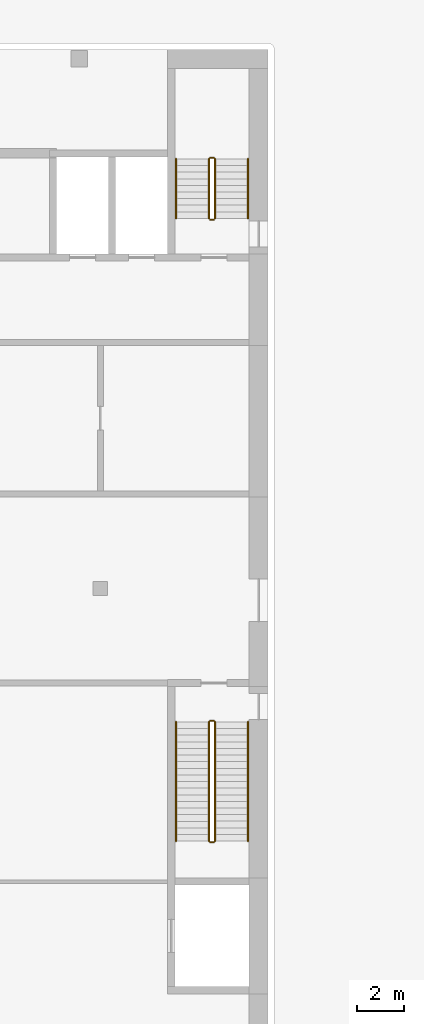
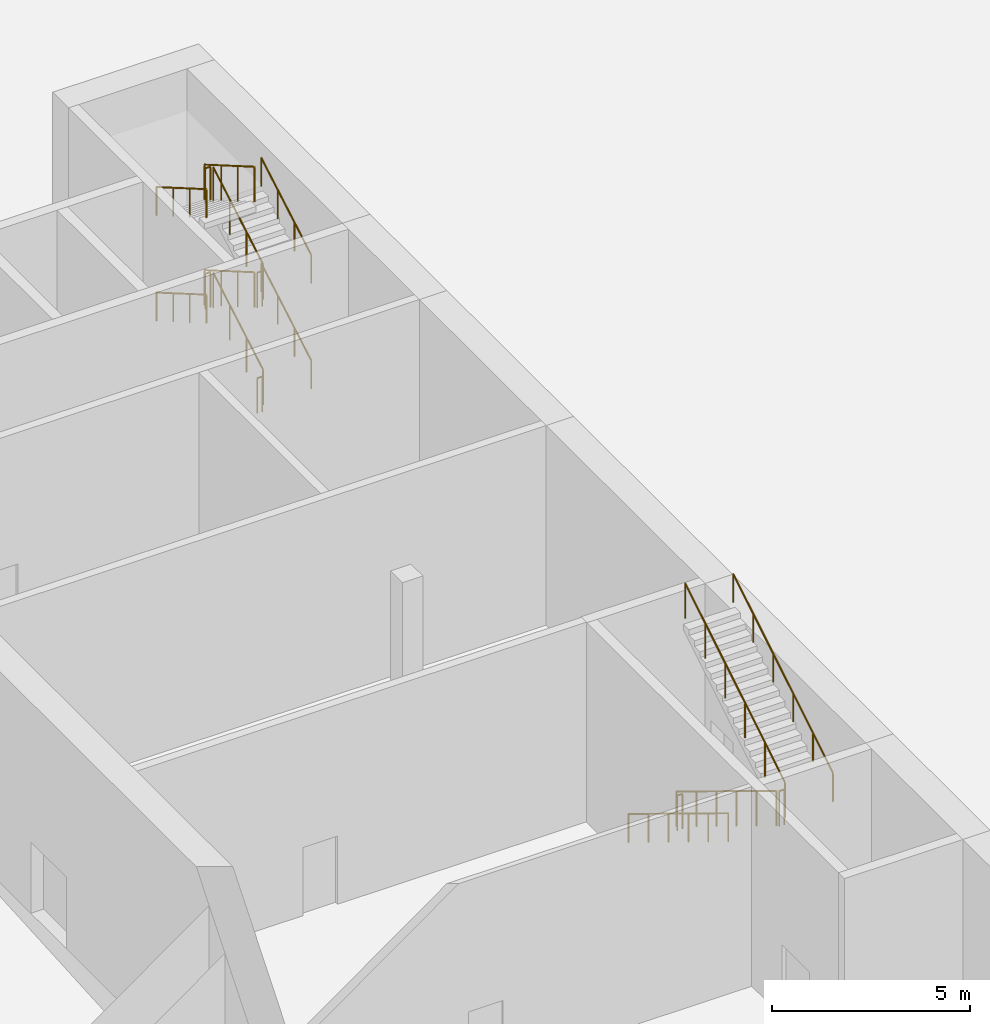
# One storey, part 44 of 51: 18 railings.
"""IFC4 building model written with IfcOpenShell, lengths in metres."""

from ifc_helpers import new_model, si_unit, direction, frame, origin, origin_2d, place, context, subcontext, project, spatial, circle, extrude, material, type_object, element, save


model = new_model("IFC4")

# Units and contexts
model_context = context("Model", 3, precision=1e-05, world=origin(), true_north=direction((0.0, 1.0)))
body_context = subcontext(model_context, "Body", "Model", "MODEL_VIEW")
ifc_project = project(units=[si_unit("LENGTHUNIT", "METRE"), si_unit("AREAUNIT", "SQUARE_METRE"), si_unit("VOLUMEUNIT", "CUBIC_METRE"), si_unit("PLANEANGLEUNIT", "RADIAN"), si_unit("MASSUNIT", "GRAM", prefix="KILO")], contexts=[model_context])

# Site, building, storey
site_placement = place(None, origin())
site = spatial("IfcSite", under=ifc_project, at=site_placement, CompositionType="ELEMENT")
building_placement = place(site_placement, origin())
building = spatial("IfcBuilding", under=site, at=building_placement, Name="Kiln Ring Residences", CompositionType="ELEMENT")
storey_placement = place(building_placement, origin())
storey = spatial("IfcBuildingStorey", under=building, at=storey_placement, Name="L00", CompositionType="ELEMENT", Elevation=0.0)

# Railings
ifc_material_1 = material(Name="Stainless steel", Category="steel")
railing_type_1 = type_object("IfcRailingType", Name="Hall stair guard 1100", PredefinedType="GUARDRAIL", material=ifc_material_1)
railing_1_placement = place(storey_placement, frame((27.75, -119.550048828125, 0.16259765625)))
element("IfcRailing", 1, at=railing_1_placement, inside=storey, type_object=railing_type_1, Name="L00 HALL.ST2 stair guard 1", PredefinedType="GUARDRAIL", context=body_context, shape_type="SweptSolid", body=[
    extrude(circle(Radius=0.02392578125, at=origin_2d()), frame((0.0, 0.0, 1.076171875), z_axis=(0.0, 0.864913338283, 0.50192122615), x_axis=(-1.0, 0.0, 0.0)), (0.0, 0.0, 1.0), 2.91357421875),
    extrude(circle(Radius=0.02099609375, at=origin_2d()), origin(), (0.0, 0.0, 1.0), 1.052001953125),
    extrude(circle(Radius=0.02099609375, at=origin_2d()), frame((0.0, 0.840087890625, 0.487548828125)), (0.0, 0.0, 1.0), 1.052001953125),
    extrude(circle(Radius=0.02099609375, at=origin_2d()), frame((0.0, 1.679931640625, 0.974853515625)), (0.0, 0.0, 1.0), 1.052001953125),
    extrude(circle(Radius=0.02099609375, at=origin_2d()), frame((0.0, 2.52001953125, 1.46240234375)), (0.0, 0.0, 1.0), 1.052001953125),
])
railing_2_placement = place(storey_placement, frame((27.699951171875, -116.97998046875, 1.625)))
element("IfcRailing", 2, at=railing_2_placement, inside=storey, type_object=railing_type_1, Name="L00 HALL.ST2 stair guard 2", PredefinedType="GUARDRAIL", context=body_context, shape_type="SweptSolid", body=[
    extrude(circle(Radius=0.02392578125, at=origin_2d()), frame((0.0, 0.0, 1.076171875), z_axis=(-1.0, 0.0, 0.0), x_axis=(0.0, -1.0, 0.0)), (0.0, 0.0, 1.0), 0.14990234375),
    extrude(circle(Radius=0.02099609375, at=origin_2d()), origin(), (0.0, 0.0, 1.0), 1.052001953125),
    extrude(circle(Radius=0.02099609375, at=origin_2d()), frame((-0.14990234375, 0.0, 0.0)), (0.0, 0.0, 1.0), 1.052001953125),
])
railing_3_placement = place(storey_placement, frame((27.5, -117.030029296875, 1.78759765625)))
element("IfcRailing", 3, at=railing_3_placement, inside=storey, type_object=railing_type_1, Name="L00 HALL.ST2 stair guard 3", PredefinedType="GUARDRAIL", context=body_context, shape_type="SweptSolid", body=[
    extrude(circle(Radius=0.02392578125, at=origin_2d()), frame((0.0, 0.0, 1.076171875), z_axis=(0.0, -0.864913338283, 0.50192122615), x_axis=(1.0, 0.0, 0.0)), (0.0, 0.0, 1.0), 2.91357421875),
    extrude(circle(Radius=0.02099609375, at=origin_2d()), origin(), (0.0, 0.0, 1.0), 1.052001953125),
    extrude(circle(Radius=0.02099609375, at=origin_2d()), frame((0.0, -0.840087890625, 0.487548828125)), (0.0, 0.0, 1.0), 1.052001953125),
    extrude(circle(Radius=0.02099609375, at=origin_2d()), frame((0.0, -1.679931640625, 0.974853515625)), (0.0, 0.0, 1.0), 1.052001953125),
    extrude(circle(Radius=0.02099609375, at=origin_2d()), frame((0.0, -2.52001953125, 1.46240234375)), (0.0, 0.0, 1.0), 1.052001953125),
])
railing_4_placement = place(storey_placement, frame((27.699951171875, -119.60009765625, 3.25)))
element("IfcRailing", 4, at=railing_4_placement, inside=storey, type_object=railing_type_1, Name="L00 HALL.ST2 stair guard 4", PredefinedType="GUARDRAIL", context=body_context, shape_type="SweptSolid", body=[
    extrude(circle(Radius=0.02392578125, at=origin_2d()), frame((0.0, 0.0, 1.076171875), z_axis=(-1.0, 0.0, 0.0), x_axis=(0.0, -1.0, 0.0)), (0.0, 0.0, 1.0), 0.14990234375),
    extrude(circle(Radius=0.02099609375, at=origin_2d()), origin(), (0.0, 0.0, 1.0), 1.052001953125),
    extrude(circle(Radius=0.02099609375, at=origin_2d()), frame((-0.14990234375, 0.0, 0.0)), (0.0, 0.0, 1.0), 1.052001953125),
])
railing_5_placement = place(storey_placement, frame((27.75, -119.550048828125, 3.41259765625)))
element("IfcRailing", 5, at=railing_5_placement, inside=storey, type_object=railing_type_1, Name="L00 HALL.ST2 stair guard 5", PredefinedType="GUARDRAIL", context=body_context, shape_type="SweptSolid", body=[
    extrude(circle(Radius=0.02392578125, at=origin_2d()), frame((0.0, 0.0, 1.076171875), z_axis=(0.0, 0.864913338283, 0.50192122615), x_axis=(-1.0, 0.0, 0.0)), (0.0, 0.0, 1.0), 2.91357421875),
    extrude(circle(Radius=0.02099609375, at=origin_2d()), origin(), (0.0, 0.0, 1.0), 1.052001953125),
    extrude(circle(Radius=0.02099609375, at=origin_2d()), frame((0.0, 0.840087890625, 0.487548828125)), (0.0, 0.0, 1.0), 1.052001953125),
    extrude(circle(Radius=0.02099609375, at=origin_2d()), frame((0.0, 1.679931640625, 0.974853515625)), (0.0, 0.0, 1.0), 1.052001953125),
    extrude(circle(Radius=0.02099609375, at=origin_2d()), frame((0.0, 2.52001953125, 1.46240234375)), (0.0, 0.0, 1.0), 1.052001953125),
])
railing_6_placement = place(storey_placement, frame((27.699951171875, -116.97998046875, 4.875)))
element("IfcRailing", 6, at=railing_6_placement, inside=storey, type_object=railing_type_1, Name="L00 HALL.ST2 stair guard 6", PredefinedType="GUARDRAIL", context=body_context, shape_type="SweptSolid", body=[
    extrude(circle(Radius=0.02392578125, at=origin_2d()), frame((0.0, 0.0, 1.076171875), z_axis=(-1.0, 0.0, 0.0), x_axis=(0.0, -1.0, 0.0)), (0.0, 0.0, 1.0), 0.14990234375),
    extrude(circle(Radius=0.02099609375, at=origin_2d()), origin(), (0.0, 0.0, 1.0), 1.052001953125),
    extrude(circle(Radius=0.02099609375, at=origin_2d()), frame((-0.14990234375, 0.0, 0.0)), (0.0, 0.0, 1.0), 1.052001953125),
])
railing_7_placement = place(storey_placement, frame((27.5, -117.030029296875, 5.03759765625)))
element("IfcRailing", 7, at=railing_7_placement, inside=storey, type_object=railing_type_1, Name="L00 HALL.ST2 stair guard 7", PredefinedType="GUARDRAIL", context=body_context, shape_type="SweptSolid", body=[
    extrude(circle(Radius=0.02392578125, at=origin_2d()), frame((0.0, 0.0, 1.076171875), z_axis=(0.0, -0.864913338283, 0.50192122615), x_axis=(1.0, 0.0, 0.0)), (0.0, 0.0, 1.0), 2.91357421875),
    extrude(circle(Radius=0.02099609375, at=origin_2d()), origin(), (0.0, 0.0, 1.0), 1.052001953125),
    extrude(circle(Radius=0.02099609375, at=origin_2d()), frame((0.0, -0.840087890625, 0.487548828125)), (0.0, 0.0, 1.0), 1.052001953125),
    extrude(circle(Radius=0.02099609375, at=origin_2d()), frame((0.0, -1.679931640625, 0.974853515625)), (0.0, 0.0, 1.0), 1.052001953125),
    extrude(circle(Radius=0.02099609375, at=origin_2d()), frame((0.0, -2.52001953125, 1.46240234375)), (0.0, 0.0, 1.0), 1.052001953125),
])
railing_8_placement = place(storey_placement, frame((27.699951171875, -119.60009765625, 0.0)))
element("IfcRailing", 8, at=railing_8_placement, inside=storey, type_object=railing_type_1, Name="L00 HALL.ST2 stair guard 8", PredefinedType="GUARDRAIL", context=body_context, shape_type="SweptSolid", body=[
    extrude(circle(Radius=0.02392578125, at=origin_2d()), frame((0.0, 0.0, 1.076171875), z_axis=(-1.0, 0.0, 0.0), x_axis=(0.0, -1.0, 0.0)), (0.0, 0.0, 1.0), 0.14990234375),
    extrude(circle(Radius=0.02099609375, at=origin_2d()), origin(), (0.0, 0.0, 1.0), 1.052001953125),
    extrude(circle(Radius=0.02099609375, at=origin_2d()), frame((-0.14990234375, 0.0, 0.0)), (0.0, 0.0, 1.0), 1.052001953125),
])
railing_9_placement = place(storey_placement, frame((27.5, -140.85009765625, 0.171142578125)))
element("IfcRailing", 9, at=railing_9_placement, inside=storey, type_object=railing_type_1, Name="L00 HALL.ST4 stair guard 1", PredefinedType="GUARDRAIL", context=body_context, shape_type="SweptSolid", body=[
    extrude(circle(Radius=0.02392578125, at=origin_2d()), frame((0.0, 0.0, 1.076171875), z_axis=(0.0, -0.853358463929, 0.521324593742), x_axis=(1.0, 0.0, 0.0)), (0.0, 0.0, 1.0), 5.90576171875),
    extrude(circle(Radius=0.02099609375, at=origin_2d()), origin(), (0.0, 0.0, 1.0), 1.052001953125),
    extrude(circle(Radius=0.02099609375, at=origin_2d()), frame((0.0, -1.008056640625, 0.61572265625)), (0.0, 0.0, 1.0), 1.052001953125),
    extrude(circle(Radius=0.02099609375, at=origin_2d()), frame((0.0, -2.015869140625, 1.2314453125)), (0.0, 0.0, 1.0), 1.052001953125),
    extrude(circle(Radius=0.02099609375, at=origin_2d()), frame((0.0, -3.02392578125, 1.847412109375)), (0.0, 0.0, 1.0), 1.052001953125),
    extrude(circle(Radius=0.02099609375, at=origin_2d()), frame((0.0, -4.03173828125, 2.463134765625)), (0.0, 0.0, 1.0), 1.052001953125),
    extrude(circle(Radius=0.02099609375, at=origin_2d()), frame((0.0, -5.039794921875, 3.078857421875)), (0.0, 0.0, 1.0), 1.052001953125),
])
railing_10_placement = place(storey_placement, frame((27.550048828125, -145.93994140625, 3.25)))
element("IfcRailing", 10, at=railing_10_placement, inside=storey, type_object=railing_type_1, Name="L00 HALL.ST4 stair guard 2", PredefinedType="GUARDRAIL", context=body_context, shape_type="SweptSolid", body=[
    extrude(circle(Radius=0.02392578125, at=origin_2d()), frame((0.0, 0.0, 1.076171875), z_axis=(1.0, 0.0, 0.0), x_axis=(0.0, 1.0, 0.0)), (0.0, 0.0, 1.0), 0.14990234375),
    extrude(circle(Radius=0.02099609375, at=origin_2d()), origin(), (0.0, 0.0, 1.0), 1.052001953125),
    extrude(circle(Radius=0.02099609375, at=origin_2d()), frame((0.14990234375, 0.0, 0.0)), (0.0, 0.0, 1.0), 1.052001953125),
])
railing_11_placement = place(storey_placement, frame((27.75, -145.889892578125, 3.421142578125)))
element("IfcRailing", 11, at=railing_11_placement, inside=storey, type_object=railing_type_1, Name="L00 HALL.ST4 stair guard 3", PredefinedType="GUARDRAIL", context=body_context, shape_type="SweptSolid", body=[
    extrude(circle(Radius=0.02392578125, at=origin_2d()), frame((0.0, 0.0, 1.076171875), z_axis=(0.0, 0.853358463929, 0.521324593742), x_axis=(-1.0, 0.0, 0.0)), (0.0, 0.0, 1.0), 5.90576171875),
    extrude(circle(Radius=0.02099609375, at=origin_2d()), origin(), (0.0, 0.0, 1.0), 1.052001953125),
    extrude(circle(Radius=0.02099609375, at=origin_2d()), frame((0.0, 1.008056640625, 0.61572265625)), (0.0, 0.0, 1.0), 1.052001953125),
    extrude(circle(Radius=0.02099609375, at=origin_2d()), frame((0.0, 2.015869140625, 1.2314453125)), (0.0, 0.0, 1.0), 1.052001953125),
    extrude(circle(Radius=0.02099609375, at=origin_2d()), frame((0.0, 3.02392578125, 1.847412109375)), (0.0, 0.0, 1.0), 1.052001953125),
    extrude(circle(Radius=0.02099609375, at=origin_2d()), frame((0.0, 4.03173828125, 2.463134765625)), (0.0, 0.0, 1.0), 1.052001953125),
    extrude(circle(Radius=0.02099609375, at=origin_2d()), frame((0.0, 5.039794921875, 3.078857421875)), (0.0, 0.0, 1.0), 1.052001953125),
])
railing_12_placement = place(storey_placement, frame((27.550048828125, -140.800048828125, 0.0)))
element("IfcRailing", 12, at=railing_12_placement, inside=storey, type_object=railing_type_1, Name="L00 HALL.ST4 stair guard 4", PredefinedType="GUARDRAIL", context=body_context, shape_type="SweptSolid", body=[
    extrude(circle(Radius=0.02392578125, at=origin_2d()), frame((0.0, 0.0, 1.076171875), z_axis=(1.0, 0.0, 0.0), x_axis=(0.0, 1.0, 0.0)), (0.0, 0.0, 1.0), 0.14990234375),
    extrude(circle(Radius=0.02099609375, at=origin_2d()), origin(), (0.0, 0.0, 1.0), 1.052001953125),
    extrude(circle(Radius=0.02099609375, at=origin_2d()), frame((0.14990234375, 0.0, 0.0)), (0.0, 0.0, 1.0), 1.052001953125),
])
ifc_material_2 = material(Name="Stainless steel", Category="steel")
railing_type_2 = type_object("IfcRailingType", Name="Hall stair handrail 900", PredefinedType="HANDRAIL", material=ifc_material_2)
railing_13_placement = place(storey_placement, frame((29.14990234375, -119.550048828125, 0.16259765625)))
element("IfcRailing", 13, at=railing_13_placement, inside=storey, type_object=railing_type_2, Name="L00 HALL.ST2 stair handrail 1", PredefinedType="HANDRAIL", context=body_context, shape_type="SweptSolid", body=[
    extrude(circle(Radius=0.02392578125, at=origin_2d()), frame((0.0, 0.0, 0.8759765625), z_axis=(0.0, 0.864913338283, 0.50192122615), x_axis=(-1.0, 0.0, 0.0)), (0.0, 0.0, 1.0), 2.91357421875),
    extrude(circle(Radius=0.02099609375, at=origin_2d()), origin(), (0.0, 0.0, 1.0), 0.851806640625),
    extrude(circle(Radius=0.02099609375, at=origin_2d()), frame((0.0, 0.840087890625, 0.487548828125)), (0.0, 0.0, 1.0), 0.851806640625),
    extrude(circle(Radius=0.02099609375, at=origin_2d()), frame((0.0, 1.679931640625, 0.974853515625)), (0.0, 0.0, 1.0), 0.851806640625),
    extrude(circle(Radius=0.02099609375, at=origin_2d()), frame((0.0, 2.52001953125, 1.46240234375)), (0.0, 0.0, 1.0), 0.851806640625),
])
railing_14_placement = place(storey_placement, frame((26.10009765625, -117.030029296875, 1.78759765625)))
element("IfcRailing", 14, at=railing_14_placement, inside=storey, type_object=railing_type_2, Name="L00 HALL.ST2 stair handrail 2", PredefinedType="HANDRAIL", context=body_context, shape_type="SweptSolid", body=[
    extrude(circle(Radius=0.02392578125, at=origin_2d()), frame((0.0, 0.0, 0.8759765625), z_axis=(0.0, -0.864913338283, 0.50192122615), x_axis=(1.0, 0.0, 0.0)), (0.0, 0.0, 1.0), 2.91357421875),
    extrude(circle(Radius=0.02099609375, at=origin_2d()), origin(), (0.0, 0.0, 1.0), 0.851806640625),
    extrude(circle(Radius=0.02099609375, at=origin_2d()), frame((0.0, -0.840087890625, 0.487548828125)), (0.0, 0.0, 1.0), 0.851806640625),
    extrude(circle(Radius=0.02099609375, at=origin_2d()), frame((0.0, -1.679931640625, 0.974853515625)), (0.0, 0.0, 1.0), 0.851806640625),
    extrude(circle(Radius=0.02099609375, at=origin_2d()), frame((0.0, -2.52001953125, 1.46240234375)), (0.0, 0.0, 1.0), 0.851806640625),
])
railing_15_placement = place(storey_placement, frame((29.14990234375, -119.550048828125, 3.41259765625)))
element("IfcRailing", 15, at=railing_15_placement, inside=storey, type_object=railing_type_2, Name="L00 HALL.ST2 stair handrail 3", PredefinedType="HANDRAIL", context=body_context, shape_type="SweptSolid", body=[
    extrude(circle(Radius=0.02392578125, at=origin_2d()), frame((0.0, 0.0, 0.8759765625), z_axis=(0.0, 0.864913338283, 0.50192122615), x_axis=(-1.0, 0.0, 0.0)), (0.0, 0.0, 1.0), 2.91357421875),
    extrude(circle(Radius=0.02099609375, at=origin_2d()), origin(), (0.0, 0.0, 1.0), 0.851806640625),
    extrude(circle(Radius=0.02099609375, at=origin_2d()), frame((0.0, 0.840087890625, 0.487548828125)), (0.0, 0.0, 1.0), 0.851806640625),
    extrude(circle(Radius=0.02099609375, at=origin_2d()), frame((0.0, 1.679931640625, 0.974853515625)), (0.0, 0.0, 1.0), 0.851806640625),
    extrude(circle(Radius=0.02099609375, at=origin_2d()), frame((0.0, 2.52001953125, 1.46240234375)), (0.0, 0.0, 1.0), 0.851806640625),
])
railing_16_placement = place(storey_placement, frame((26.10009765625, -117.030029296875, 5.03759765625)))
element("IfcRailing", 16, at=railing_16_placement, inside=storey, type_object=railing_type_2, Name="L00 HALL.ST2 stair handrail 4", PredefinedType="HANDRAIL", context=body_context, shape_type="SweptSolid", body=[
    extrude(circle(Radius=0.02392578125, at=origin_2d()), frame((0.0, 0.0, 0.8759765625), z_axis=(0.0, -0.864913338283, 0.50192122615), x_axis=(1.0, 0.0, 0.0)), (0.0, 0.0, 1.0), 2.91357421875),
    extrude(circle(Radius=0.02099609375, at=origin_2d()), origin(), (0.0, 0.0, 1.0), 0.851806640625),
    extrude(circle(Radius=0.02099609375, at=origin_2d()), frame((0.0, -0.840087890625, 0.487548828125)), (0.0, 0.0, 1.0), 0.851806640625),
    extrude(circle(Radius=0.02099609375, at=origin_2d()), frame((0.0, -1.679931640625, 0.974853515625)), (0.0, 0.0, 1.0), 0.851806640625),
    extrude(circle(Radius=0.02099609375, at=origin_2d()), frame((0.0, -2.52001953125, 1.46240234375)), (0.0, 0.0, 1.0), 0.851806640625),
])
railing_17_placement = place(storey_placement, frame((26.10009765625, -140.85009765625, 0.171142578125)))
element("IfcRailing", 17, at=railing_17_placement, inside=storey, type_object=railing_type_2, Name="L00 HALL.ST4 stair handrail 1", PredefinedType="HANDRAIL", context=body_context, shape_type="SweptSolid", body=[
    extrude(circle(Radius=0.02392578125, at=origin_2d()), frame((0.0, 0.0, 0.8759765625), z_axis=(0.0, -0.853358463929, 0.521324593742), x_axis=(1.0, 0.0, 0.0)), (0.0, 0.0, 1.0), 5.90576171875),
    extrude(circle(Radius=0.02099609375, at=origin_2d()), origin(), (0.0, 0.0, 1.0), 0.851806640625),
    extrude(circle(Radius=0.02099609375, at=origin_2d()), frame((0.0, -1.008056640625, 0.61572265625)), (0.0, 0.0, 1.0), 0.851806640625),
    extrude(circle(Radius=0.02099609375, at=origin_2d()), frame((0.0, -2.015869140625, 1.2314453125)), (0.0, 0.0, 1.0), 0.851806640625),
    extrude(circle(Radius=0.02099609375, at=origin_2d()), frame((0.0, -3.02392578125, 1.847412109375)), (0.0, 0.0, 1.0), 0.851806640625),
    extrude(circle(Radius=0.02099609375, at=origin_2d()), frame((0.0, -4.03173828125, 2.463134765625)), (0.0, 0.0, 1.0), 0.851806640625),
    extrude(circle(Radius=0.02099609375, at=origin_2d()), frame((0.0, -5.039794921875, 3.078857421875)), (0.0, 0.0, 1.0), 0.851806640625),
])
railing_18_placement = place(storey_placement, frame((29.14990234375, -145.889892578125, 3.421142578125)))
element("IfcRailing", 18, at=railing_18_placement, inside=storey, type_object=railing_type_2, Name="L00 HALL.ST4 stair handrail 2", PredefinedType="HANDRAIL", context=body_context, shape_type="SweptSolid", body=[
    extrude(circle(Radius=0.02392578125, at=origin_2d()), frame((0.0, 0.0, 0.8759765625), z_axis=(0.0, 0.853358463929, 0.521324593742), x_axis=(-1.0, 0.0, 0.0)), (0.0, 0.0, 1.0), 5.90576171875),
    extrude(circle(Radius=0.02099609375, at=origin_2d()), origin(), (0.0, 0.0, 1.0), 0.851806640625),
    extrude(circle(Radius=0.02099609375, at=origin_2d()), frame((0.0, 1.008056640625, 0.61572265625)), (0.0, 0.0, 1.0), 0.851806640625),
    extrude(circle(Radius=0.02099609375, at=origin_2d()), frame((0.0, 2.015869140625, 1.2314453125)), (0.0, 0.0, 1.0), 0.851806640625),
    extrude(circle(Radius=0.02099609375, at=origin_2d()), frame((0.0, 3.02392578125, 1.847412109375)), (0.0, 0.0, 1.0), 0.851806640625),
    extrude(circle(Radius=0.02099609375, at=origin_2d()), frame((0.0, 4.03173828125, 2.463134765625)), (0.0, 0.0, 1.0), 0.851806640625),
    extrude(circle(Radius=0.02099609375, at=origin_2d()), frame((0.0, 5.039794921875, 3.078857421875)), (0.0, 0.0, 1.0), 0.851806640625),
])

save(model, "model.ifc")
